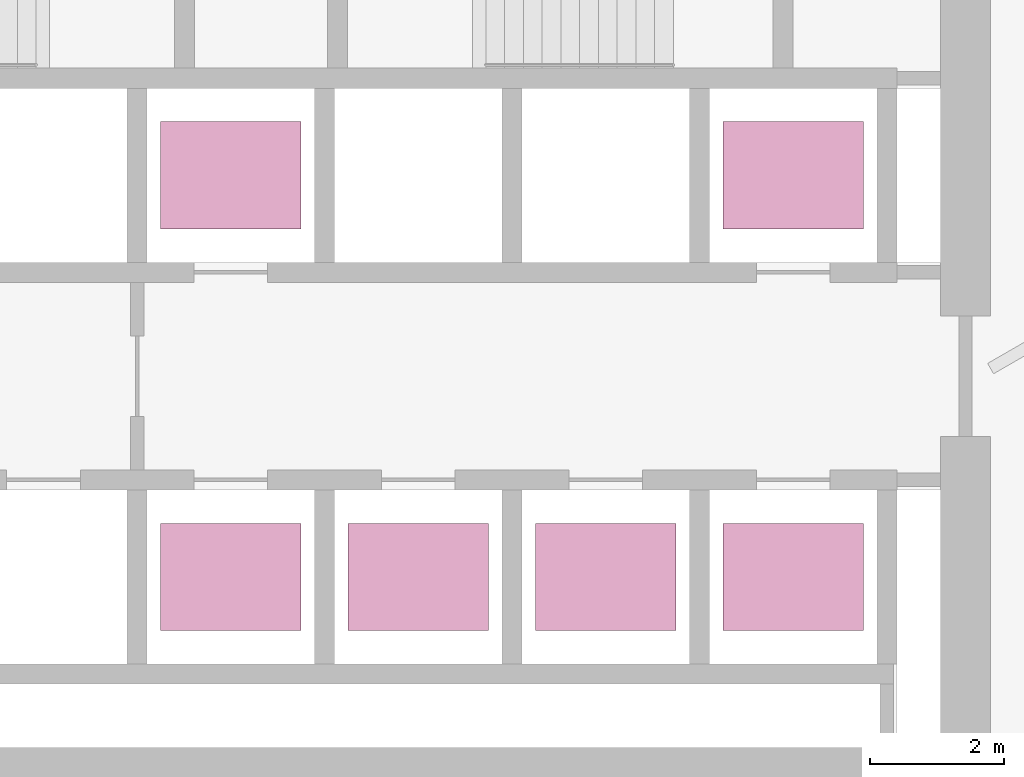
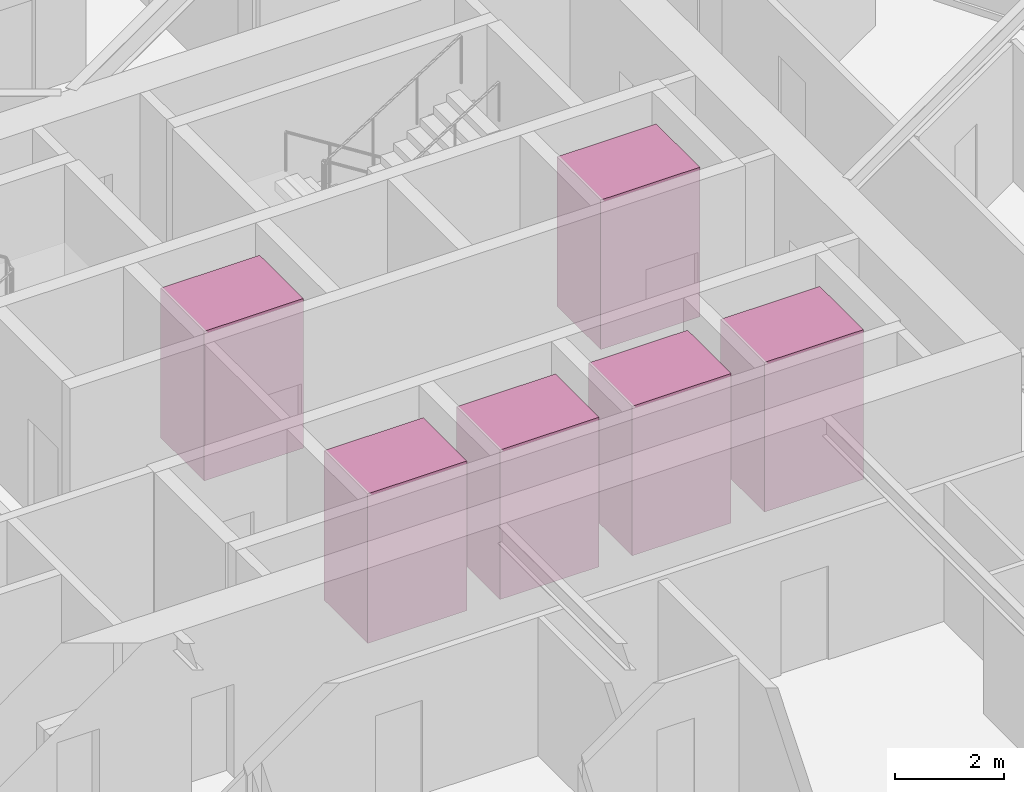
# One storey, part 24 of 24: 6 transport elements.
"""IFC4 building model written with IfcOpenShell, lengths in metres."""

from ifc_helpers import new_model, si_unit, direction, frame, origin, origin_2d, place, context, subcontext, project, spatial, rectangle, extrude, material, type_object, element, save


model = new_model("IFC4")

# Units and contexts
model_context = context("Model", 3, precision=1e-05, world=origin(), true_north=direction((0.0, 1.0)))
body_context = subcontext(model_context, "Body", "Model", "MODEL_VIEW")
ifc_project = project(units=[si_unit("LENGTHUNIT", "METRE"), si_unit("AREAUNIT", "SQUARE_METRE"), si_unit("VOLUMEUNIT", "CUBIC_METRE"), si_unit("PLANEANGLEUNIT", "RADIAN"), si_unit("MASSUNIT", "GRAM", prefix="KILO")], contexts=[model_context])

# Site, building, storey
site_placement = place(None, origin())
site = spatial("IfcSite", under=ifc_project, at=site_placement, CompositionType="ELEMENT")
building_placement = place(site_placement, origin())
building = spatial("IfcBuilding", under=site, at=building_placement, Name="Firuza Gate Tower and Library", CompositionType="ELEMENT")
storey_placement = place(building_placement, frame((0.0, 0.0, 206.5)))
storey = spatial("IfcBuildingStorey", under=building, at=storey_placement, Name="L48", CompositionType="ELEMENT", Elevation=206.5)

# Transport elements
ifc_material = material(Name="Stainless steel and glass", Category="steel")
transport_element_type = type_object("IfcTransportElementType", Name="Mid-rise lift car 2100x1600", PredefinedType="ELEVATOR", material=ifc_material)
for number, where, z_axis, x_axis, name in (
    (1, (74.64990234375, 70.300048828125, 0.0), (0.0, 0.0, 1.0), (1.0, 0.0, 0.0), "Mid-rise lift MR1"),
    (2, (77.449951171875, 70.300048828125, 0.0), (0.0, 0.0, 1.0), (1.0, 0.0, 0.0), "Mid-rise lift MR2"),
    (3, (80.25, 70.300048828125, 0.0), (0.0, 0.0, 1.0), (1.0, 0.0, 0.0), "Mid-rise lift MR3"),
    (4, (74.64990234375, 76.300048828125, 0.0), (0.0, 0.0, 1.0), (1.0, 0.0, 0.0), "Mid-rise lift MR4"),
    (5, (83.050048828125, 70.300048828125, 0.0), (0.0, 0.0, 1.0), (1.0, 0.0, 0.0), "Mid-rise lift MR5"),
    (6, (83.050048828125, 76.300048828125, 0.0), (0.0, 0.0, 1.0), (1.0, 0.0, 0.0), "Mid-rise lift MR6"),
):
    element("IfcTransportElement", number, at=place(storey_placement, frame(where, z_axis=z_axis, x_axis=x_axis)), inside=storey, type_object=transport_element_type, Name=name, PredefinedType="ELEVATOR", context=body_context, shape_type="SweptSolid", body=[
        extrude(rectangle(XDim=2.10009765625, YDim=1.60009765625, at=origin_2d()), origin(), (0.0, 0.0, 1.0), 3.35009765625),
    ])

save(model, "model.ifc")
